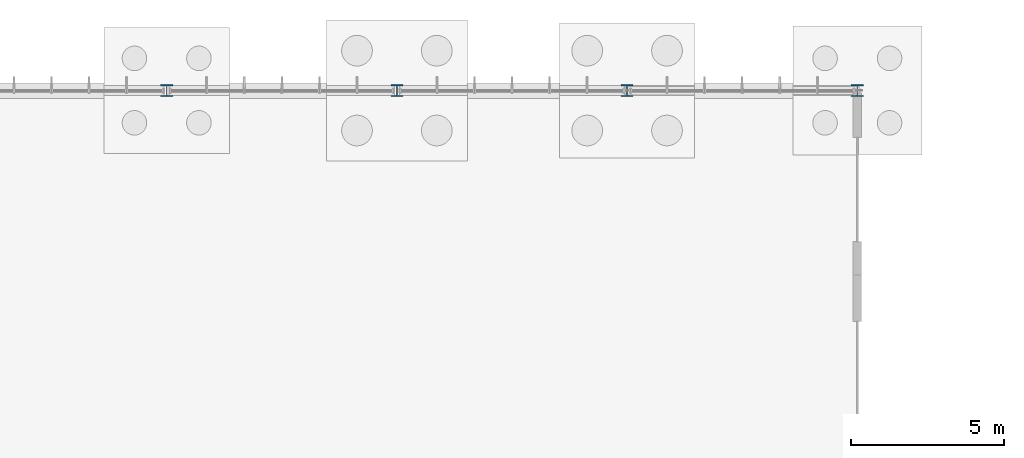
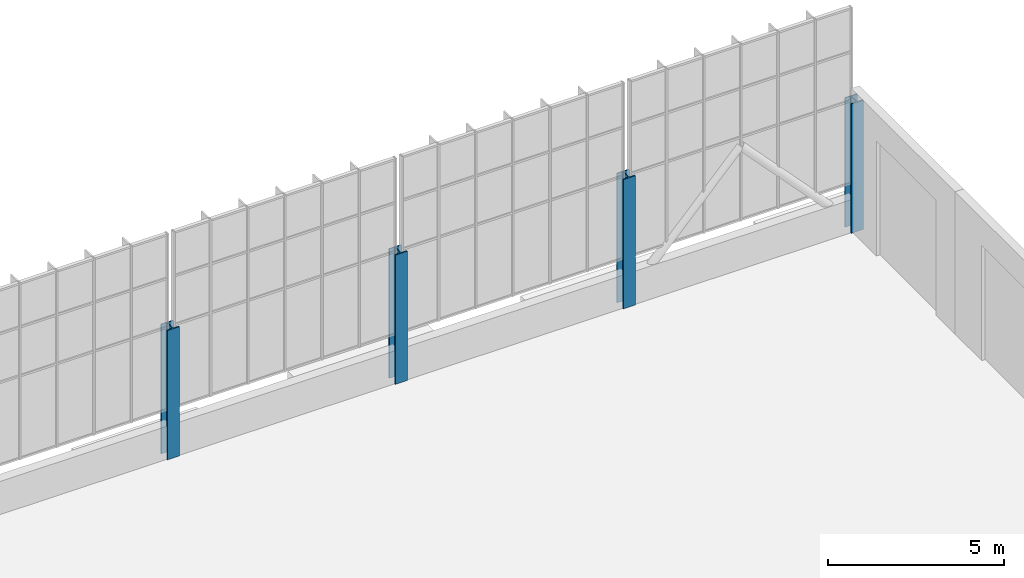
# One storey, part 26 of 136: 4 columns.
"""IFC4 building model written with IfcOpenShell, lengths in metres."""

from ifc_helpers import new_model, si_unit, direction, frame, origin, origin_2d, place, context, subcontext, project, spatial, i_section, extrude, material, material_profile, profile_set, type_object, element, save


model = new_model("IFC4")

# Units and contexts
model_context = context("Model", 3, precision=1e-05, world=origin(), true_north=direction((0.0, 1.0)))
body_context = subcontext(model_context, "Body", "Model", "MODEL_VIEW")
ifc_project = project(units=[si_unit("LENGTHUNIT", "METRE"), si_unit("AREAUNIT", "SQUARE_METRE"), si_unit("VOLUMEUNIT", "CUBIC_METRE"), si_unit("PLANEANGLEUNIT", "RADIAN"), si_unit("MASSUNIT", "GRAM", prefix="KILO")], contexts=[model_context])

# Site, building, storey
site_placement = place(None, origin())
site = spatial("IfcSite", under=ifc_project, at=site_placement, CompositionType="ELEMENT")
building_placement = place(site_placement, origin())
building = spatial("IfcBuilding", under=site, at=building_placement, Name="Solvenia Promenade Tram Depot", CompositionType="ELEMENT")
storey_placement = place(building_placement, origin())
storey = spatial("IfcBuildingStorey", under=building, at=storey_placement, Name="L00", CompositionType="ELEMENT", Elevation=0.0)

# Columns
ifc_material = material(Name="Structural steel ASTM A992 Gr. 50", Category="steel")
ifc_material_profile = material_profile(ifc_material, i_section(OverallWidth=0.39794921875, OverallDepth=0.386962890625, WebThickness=0.0244140625, FlangeThickness=0.03955078125, FilletRadius=0.01806640625, at=origin_2d()), Name="W360x262", Category="steel")
ifc_profile_set = profile_set([ifc_material_profile], Name="Structural steel ASTM A992 Gr. 50")
column_type = type_object("IfcColumnType", Name="Col-W360x262", PredefinedType="COLUMN", material=ifc_profile_set)
for number, where, z_axis, x_axis, name in (
    (1, (127.5, 126.0, 0.0), (0.0, 0.0, 1.0), (1.0, 0.0, 0.0), "Steel Column COL-L00-260"),
    (2, (135.0, 126.0, 0.0), (0.0, 0.0, 1.0), (1.0, 0.0, 0.0), "Steel Column COL-L00-280"),
    (3, (142.5, 126.0, 0.0), (0.0, 0.0, 1.0), (1.0, 0.0, 0.0), "Steel Column COL-L00-301"),
    (4, (150.0, 126.0, 0.0), (0.0, 0.0, 1.0), (1.0, 0.0, 0.0), "Steel Column COL-L00-322"),
):
    element("IfcColumn", number, at=place(storey_placement, frame(where, z_axis=z_axis, x_axis=x_axis)), inside=storey, type_object=column_type, Name=name, PredefinedType="COLUMN", context=body_context, shape_type="SweptSolid", body=[
        extrude(i_section(OverallWidth=0.39794921875, OverallDepth=0.386962890625, WebThickness=0.0244140625, FlangeThickness=0.03955078125, FilletRadius=0.01806640625, at=origin_2d()), origin(), (0.0, 0.0, 1.0), 4.5),
    ])

save(model, "model.ifc")
